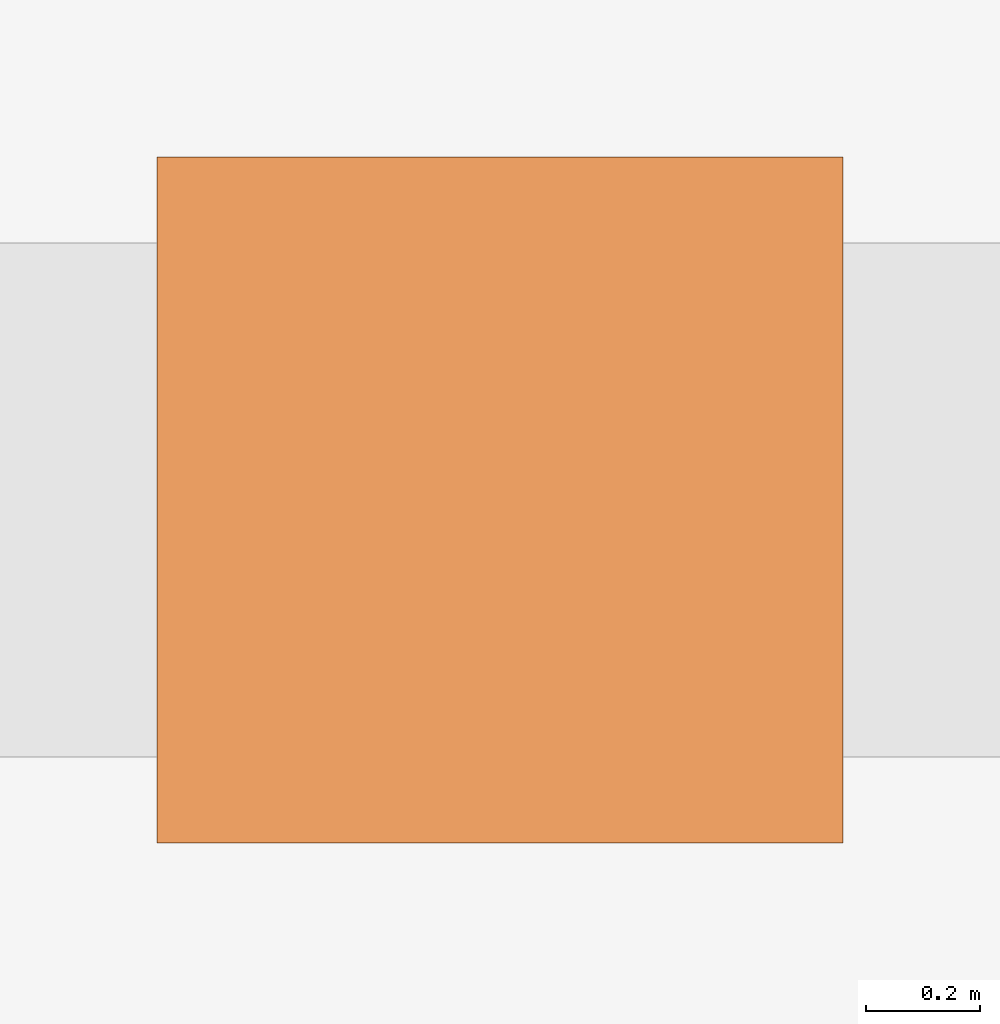
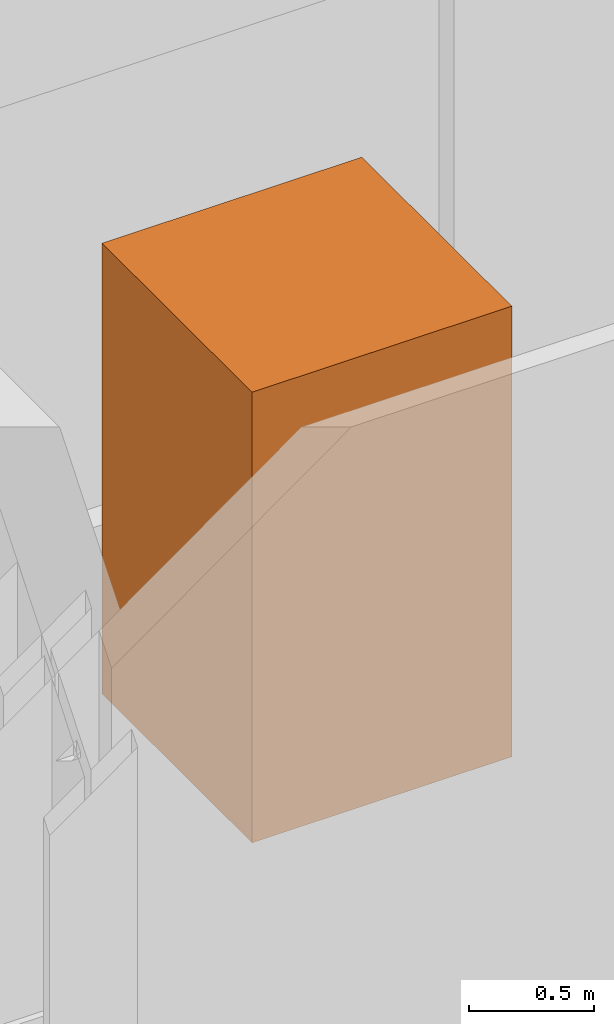
# One storey, part 10 of 10: 1 geographic element.
"""IFC4 building model written with IfcOpenShell, lengths in metres."""

from ifc_helpers import new_model, si_unit, direction, frame, origin, origin_2d, place, context, subcontext, project, spatial, rectangle, extrude, material, type_object, element, save


model = new_model("IFC4")

# Units and contexts
model_context = context("Model", 3, precision=1e-05, world=origin(), true_north=direction((0.0, 1.0)))
body_context = subcontext(model_context, "Body", "Model", "MODEL_VIEW")
ifc_project = project(units=[si_unit("LENGTHUNIT", "METRE"), si_unit("AREAUNIT", "SQUARE_METRE"), si_unit("VOLUMEUNIT", "CUBIC_METRE"), si_unit("PLANEANGLEUNIT", "RADIAN"), si_unit("MASSUNIT", "GRAM", prefix="KILO")], contexts=[model_context])

# Site, building, storey
site_placement = place(None, origin())
site = spatial("IfcSite", under=ifc_project, at=site_placement, CompositionType="ELEMENT")
building_placement = place(site_placement, origin())
building = spatial("IfcBuilding", under=site, at=building_placement, Name="Immortelle Media Tower", CompositionType="ELEMENT")
storey_placement = place(building_placement, frame((0.0, 0.0, 213.0)))
storey = spatial("IfcBuildingStorey", under=building, at=storey_placement, Name="L45", CompositionType="ELEMENT", Elevation=213.0)

# Geographic element
ifc_material = material(Name="Tree canopy foliage")
geographic_element_type = type_object("IfcGeographicElementType", Name="Tree", PredefinedType="USERDEFINED", material=ifc_material)
geographic_element_placement = place(storey_placement, frame((26.0, 1.550048828125, 0.60009765625), z_axis=(0.0, 0.0, 1.0), x_axis=(1.0, 0.0, 0.0)))
element("IfcGeographicElement", 1, at=geographic_element_placement, inside=storey, type_object=geographic_element_type, Name="Tree L45 S2", ObjectType="Tree", PredefinedType="USERDEFINED", context=body_context, shape_type="SweptSolid", body=[
    extrude(rectangle(XDim=1.199951171875, YDim=1.199951171875, at=origin_2d()), origin(), (0.0, 0.0, 1.0), 2.199951171875),
])

save(model, "model.ifc")
